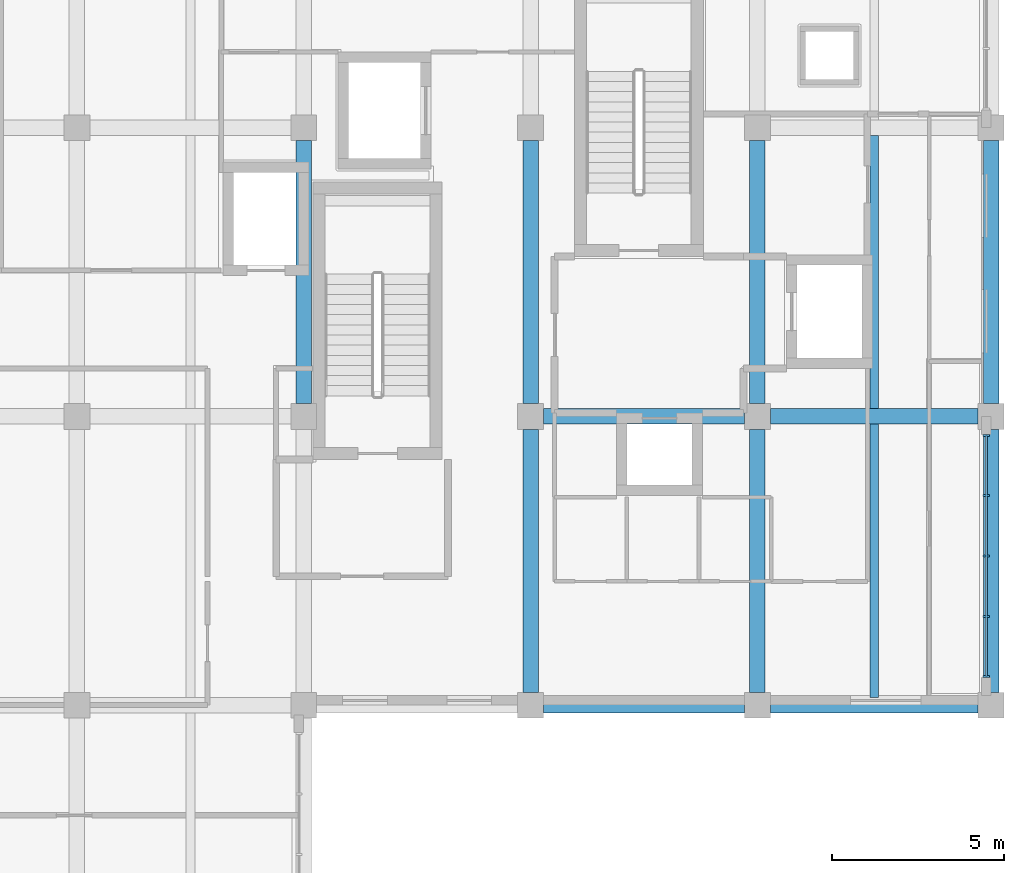
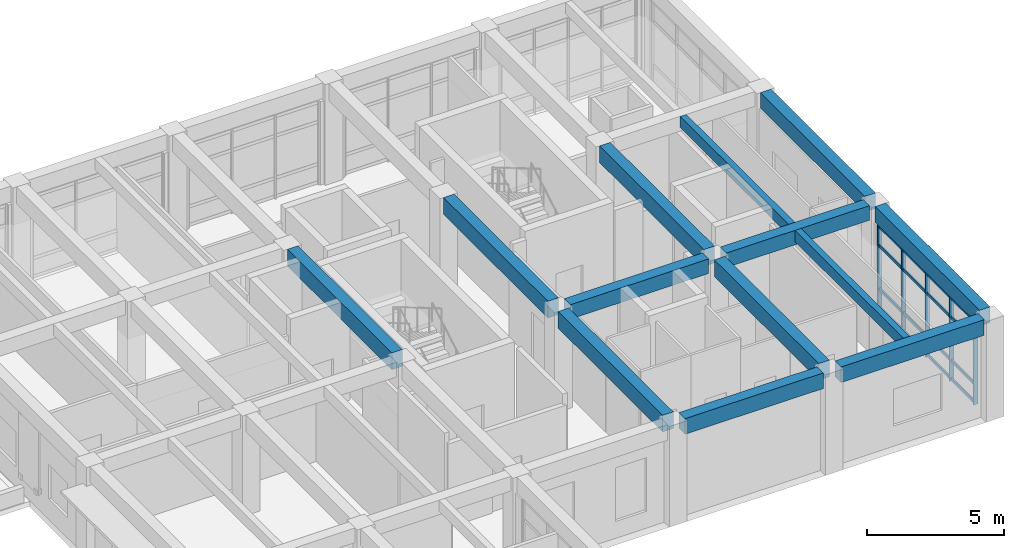
# One storey, part 16 of 50: 13 beams, 9 members, 1 element without a shape of its own.
"""IFC4 building model written with IfcOpenShell, lengths in metres."""

from ifc_helpers import new_model, si_unit, direction, frame, origin, origin_2d, place, context, subcontext, project, spatial, rectangle, extrude, material, layer, layer_set, material_profile, profile_set, type_object, element, aggregate, save


model = new_model("IFC4")

# Units and contexts
model_context = context("Model", 3, precision=1e-05, world=origin(), true_north=direction((0.0, 1.0)))
body_context = subcontext(model_context, "Body", "Model", "MODEL_VIEW")
ifc_project = project(units=[si_unit("LENGTHUNIT", "METRE"), si_unit("AREAUNIT", "SQUARE_METRE"), si_unit("VOLUMEUNIT", "CUBIC_METRE"), si_unit("PLANEANGLEUNIT", "RADIAN"), si_unit("MASSUNIT", "GRAM", prefix="KILO")], contexts=[model_context])

# Site, building, storey
site_placement = place(None, origin())
site = spatial("IfcSite", under=ifc_project, at=site_placement, CompositionType="ELEMENT")
building_placement = place(site_placement, origin())
building = spatial("IfcBuilding", under=site, at=building_placement, Name="Kolvaren Faculty of Natural Sciences", CompositionType="ELEMENT")
storey_placement = place(building_placement, frame((0.0, 0.0, 15.0)))
storey = spatial("IfcBuildingStorey", under=building, at=storey_placement, Name="L03", CompositionType="ELEMENT", Elevation=15.0)

# Curtain wall, members
ifc_material_1 = material(Name="Thermally broken anodised aluminium framing", Category="aluminium")
ifc_layer = layer(ifc_material_1, 0.179931640625)
ifc_layer_set = layer_set([ifc_layer], Name="Thermally broken anodised aluminium framing")
curtain_wall_type = type_object("IfcCurtainWallType", Name="TowerNorthCurtainWall_CW03", PredefinedType="NOTDEFINED", material=ifc_layer_set)
curtain_wall_placement = place(storey_placement, origin())
curtain_wall = element("IfcCurtainWall", 1, at=curtain_wall_placement, inside=storey, type_object=curtain_wall_type, Name="L03 unitised curtain wall CW-03 (CW-L03-148)", PredefinedType="NOTDEFINED")
ifc_material_profile_1 = material_profile(ifc_material_1, rectangle(XDim=0.06005859375, YDim=0.179931640625, at=origin_2d()), Name="ALU MUL 60x180")
ifc_profile_set_1 = profile_set([ifc_material_profile_1], Name="Thermally broken anodised aluminium framing")
member_type_1 = type_object("IfcMemberType", Name="CurtainMullion_60x180", PredefinedType="MULLION", material=ifc_profile_set_1)
member_1_placement = place(storey_placement, frame((171.860107421875, 66.85009765625, 0.0), z_axis=(0.0, 0.0, 1.0), x_axis=(0.0, -1.0, 0.0)))
member_1 = element("IfcMember", 2, at=member_1_placement, type_object=member_type_1, Name="CW-L03-148 vertical mullion 1", PredefinedType="MULLION", context=body_context, shape_type="SweptSolid", body=[
    extrude(rectangle(XDim=0.06005859375, YDim=0.179931640625, at=origin_2d()), origin(), (0.0, 0.0, 1.0), 3.784912109375),
])
member_2_placement = place(storey_placement, frame((171.860107421875, 65.094970703125, 0.0), z_axis=(0.0, 0.0, 1.0), x_axis=(0.0, -1.0, 0.0)))
member_2 = element("IfcMember", 3, at=member_2_placement, type_object=member_type_1, Name="CW-L03-148 vertical mullion 2", PredefinedType="MULLION", context=body_context, shape_type="SweptSolid", body=[
    extrude(rectangle(XDim=0.06005859375, YDim=0.179931640625, at=origin_2d()), origin(), (0.0, 0.0, 1.0), 3.784912109375),
])
member_3_placement = place(storey_placement, frame((171.860107421875, 63.340087890625, 0.0), z_axis=(0.0, 0.0, 1.0), x_axis=(0.0, -1.0, 0.0)))
member_3 = element("IfcMember", 4, at=member_3_placement, type_object=member_type_1, Name="CW-L03-148 vertical mullion 3", PredefinedType="MULLION", context=body_context, shape_type="SweptSolid", body=[
    extrude(rectangle(XDim=0.06005859375, YDim=0.179931640625, at=origin_2d()), origin(), (0.0, 0.0, 1.0), 3.784912109375),
])
member_4_placement = place(storey_placement, frame((171.860107421875, 61.5849609375, 0.0), z_axis=(0.0, 0.0, 1.0), x_axis=(0.0, -1.0, 0.0)))
member_4 = element("IfcMember", 5, at=member_4_placement, type_object=member_type_1, Name="CW-L03-148 vertical mullion 4", PredefinedType="MULLION", context=body_context, shape_type="SweptSolid", body=[
    extrude(rectangle(XDim=0.06005859375, YDim=0.179931640625, at=origin_2d()), origin(), (0.0, 0.0, 1.0), 3.784912109375),
])
member_5_placement = place(storey_placement, frame((171.860107421875, 59.830078125, 0.0), z_axis=(0.0, 0.0, 1.0), x_axis=(0.0, -1.0, 0.0)))
member_5 = element("IfcMember", 6, at=member_5_placement, type_object=member_type_1, Name="CW-L03-148 vertical mullion 5", PredefinedType="MULLION", context=body_context, shape_type="SweptSolid", body=[
    extrude(rectangle(XDim=0.06005859375, YDim=0.179931640625, at=origin_2d()), origin(), (0.0, 0.0, 1.0), 3.784912109375),
])
ifc_material_profile_2 = material_profile(ifc_material_1, rectangle(XDim=0.06005859375, YDim=0.139892578125, at=origin_2d()), Name="ALU TRN 60x140")
ifc_profile_set_2 = profile_set([ifc_material_profile_2], Name="Thermally broken anodised aluminium framing")
member_type_2 = type_object("IfcMemberType", Name="CurtainTransom_60x140", PredefinedType="USERDEFINED", material=ifc_profile_set_2)
member_6_placement = place(storey_placement, frame((171.860107421875, 66.85009765625, 0.080078125), z_axis=(0.0, -1.0, 0.0), x_axis=(1.0, 0.0, 0.0)))
member_6 = element("IfcMember", 7, at=member_6_placement, type_object=member_type_2, Name="CW-L03-148 horizontal transom 1", ObjectType="TRANSOM", PredefinedType="USERDEFINED", context=body_context, shape_type="SweptSolid", body=[
    extrude(rectangle(XDim=0.06005859375, YDim=0.139892578125, at=origin_2d()), origin(), (0.0, 0.0, 1.0), 7.02001953125),
])
member_7_placement = place(storey_placement, frame((171.860107421875, 66.85009765625, 0.89990234375), z_axis=(0.0, -1.0, 0.0), x_axis=(1.0, 0.0, 0.0)))
member_7 = element("IfcMember", 8, at=member_7_placement, type_object=member_type_2, Name="CW-L03-148 horizontal transom 2", ObjectType="TRANSOM", PredefinedType="USERDEFINED", context=body_context, shape_type="SweptSolid", body=[
    extrude(rectangle(XDim=0.06005859375, YDim=0.139892578125, at=origin_2d()), origin(), (0.0, 0.0, 1.0), 7.02001953125),
])
member_8_placement = place(storey_placement, frame((171.860107421875, 66.85009765625, 2.8349609375), z_axis=(0.0, -1.0, 0.0), x_axis=(1.0, 0.0, 0.0)))
member_8 = element("IfcMember", 9, at=member_8_placement, type_object=member_type_2, Name="CW-L03-148 horizontal transom 3", ObjectType="TRANSOM", PredefinedType="USERDEFINED", context=body_context, shape_type="SweptSolid", body=[
    extrude(rectangle(XDim=0.06005859375, YDim=0.139892578125, at=origin_2d()), origin(), (0.0, 0.0, 1.0), 7.02001953125),
])
member_9_placement = place(storey_placement, frame((171.860107421875, 66.85009765625, 3.705078125), z_axis=(0.0, -1.0, 0.0), x_axis=(1.0, 0.0, 0.0)))
member_9 = element("IfcMember", 10, at=member_9_placement, type_object=member_type_2, Name="CW-L03-148 horizontal transom 4", ObjectType="TRANSOM", PredefinedType="USERDEFINED", context=body_context, shape_type="SweptSolid", body=[
    extrude(rectangle(XDim=0.06005859375, YDim=0.139892578125, at=origin_2d()), origin(), (0.0, 0.0, 1.0), 7.02001953125),
])
aggregate(curtain_wall, [member_1, member_2, member_3, member_4, member_5, member_6, member_7, member_8, member_9])

# Beams
ifc_material_2 = material(Name="Concrete C35/45", Category="concrete")
ifc_material_profile_3 = material_profile(ifc_material_2, rectangle(XDim=0.449951171875, YDim=0.64990234375, at=origin_2d()), Name="RC BM 450x650")
ifc_profile_set_3 = profile_set([ifc_material_profile_3], Name="Concrete C35/45")
beam_type_1 = type_object("IfcBeamType", Name="GridBeam_450x650", PredefinedType="BEAM", material=ifc_profile_set_3)
beam_1_placement = place(storey_placement, frame((158.97509765625, 67.39990234375, 4.175048828125), z_axis=(1.0, 0.0, 0.0), x_axis=(0.0, 1.0, 0.0)))
element("IfcBeam", 11, at=beam_1_placement, inside=storey, type_object=beam_type_1, Name="L03 beam BM-65 on grid J", PredefinedType="BEAM", context=body_context, shape_type="SweptSolid", body=[
    extrude(rectangle(XDim=0.449951171875, YDim=0.64990234375, at=origin_2d()), origin(), (0.0, 0.0, 1.0), 5.849853515625),
])
beam_2_placement = place(storey_placement, frame((165.574951171875, 67.39990234375, 4.175048828125), z_axis=(1.0, 0.0, 0.0), x_axis=(0.0, 1.0, 0.0)))
element("IfcBeam", 12, at=beam_2_placement, inside=storey, type_object=beam_type_1, Name="L03 beam BM-65 on grid J", PredefinedType="BEAM", context=body_context, shape_type="SweptSolid", body=[
    extrude(rectangle(XDim=0.449951171875, YDim=0.64990234375, at=origin_2d()), origin(), (0.0, 0.0, 1.0), 6.050048828125),
])
ifc_material_profile_4 = material_profile(ifc_material_2, rectangle(XDim=0.260009765625, YDim=0.5, at=origin_2d()), Name="RC JST 260x500")
ifc_profile_set_4 = profile_set([ifc_material_profile_4], Name="Concrete C35/45")
beam_type_2 = type_object("IfcBeamType", Name="LabRibJoist_260x500", PredefinedType="JOIST", material=ifc_profile_set_4)
for number, where, z_axis, x_axis, name in (
    (13, (168.60009765625, 59.22509765625, 4.25), (0.0, 1.0, 0.0), (-1.0, 0.0, 0.0), "L03 ribbed laboratory slab joist JS-50"),
    (14, (168.60009765625, 67.625, 4.25), (0.0, 1.0, 0.0), (-1.0, 0.0, 0.0), "L03 ribbed laboratory slab joist JS-50"),
):
    element("IfcBeam", number, at=place(storey_placement, frame(where, z_axis=z_axis, x_axis=x_axis)), inside=storey, type_object=beam_type_2, Name=name, PredefinedType="JOIST", context=body_context, shape_type="SweptSolid", body=[
        extrude(rectangle(XDim=0.260009765625, YDim=0.5, at=origin_2d()), origin(), (0.0, 0.0, 1.0), 7.949951171875),
    ])
ifc_material_profile_5 = material_profile(ifc_material_2, rectangle(XDim=0.449951171875, YDim=0.699951171875, at=origin_2d()), Name="RC SP 450x700")
ifc_profile_set_5 = profile_set([ifc_material_profile_5], Name="Concrete C35/45")
beam_type_3 = type_object("IfcBeamType", Name="PerimeterSpandrel_450x700", PredefinedType="SPANDREL", material=ifc_profile_set_5)
beam_3_placement = place(storey_placement, frame((158.97509765625, 59.0, 4.14990234375), z_axis=(1.0, 0.0, 0.0), x_axis=(0.0, 1.0, 0.0)))
element("IfcBeam", 15, at=beam_3_placement, inside=storey, type_object=beam_type_3, Name="L03 spandrel SP-70 on grid H", PredefinedType="SPANDREL", context=body_context, shape_type="SweptSolid", body=[
    extrude(rectangle(XDim=0.449951171875, YDim=0.699951171875, at=origin_2d()), origin(), (0.0, 0.0, 1.0), 5.849853515625),
])
beam_4_placement = place(storey_placement, frame((165.574951171875, 59.0, 4.14990234375), z_axis=(1.0, 0.0, 0.0), x_axis=(0.0, 1.0, 0.0)))
element("IfcBeam", 16, at=beam_4_placement, inside=storey, type_object=beam_type_3, Name="L03 spandrel SP-70 on grid H", PredefinedType="SPANDREL", context=body_context, shape_type="SweptSolid", body=[
    extrude(rectangle(XDim=0.449951171875, YDim=0.699951171875, at=origin_2d()), origin(), (0.0, 0.0, 1.0), 6.050048828125),
])
beam_5_placement = place(storey_placement, frame((172.0, 59.375, 4.14990234375), z_axis=(0.0, 1.0, 0.0), x_axis=(-1.0, 0.0, 0.0)))
element("IfcBeam", 17, at=beam_5_placement, inside=storey, type_object=beam_type_3, Name="L03 girder SP-70 on grid 27", PredefinedType="SPANDREL", context=body_context, shape_type="SweptSolid", body=[
    extrude(rectangle(XDim=0.449951171875, YDim=0.699951171875, at=origin_2d()), origin(), (0.0, 0.0, 1.0), 7.64990234375),
])
beam_6_placement = place(storey_placement, frame((172.0, 67.77490234375, 4.14990234375), z_axis=(0.0, 1.0, 0.0), x_axis=(-1.0, 0.0, 0.0)))
element("IfcBeam", 18, at=beam_6_placement, inside=storey, type_object=beam_type_3, Name="L03 girder SP-70 on grid 27", PredefinedType="SPANDREL", context=body_context, shape_type="SweptSolid", body=[
    extrude(rectangle(XDim=0.449951171875, YDim=0.699951171875, at=origin_2d()), origin(), (0.0, 0.0, 1.0), 7.650146484375),
])
ifc_material_profile_6 = material_profile(ifc_material_2, rectangle(XDim=0.449951171875, YDim=0.75, at=origin_2d()), Name="RC BM 450x750")
ifc_profile_set_6 = profile_set([ifc_material_profile_6], Name="Concrete C35/45")
beam_type_4 = type_object("IfcBeamType", Name="PrimaryGirder_450x750", PredefinedType="BEAM", material=ifc_profile_set_6)
beam_7_placement = place(storey_placement, frame((152.0, 67.77490234375, 4.125), z_axis=(0.0, 1.0, 0.0), x_axis=(-1.0, 0.0, 0.0)))
element("IfcBeam", 19, at=beam_7_placement, inside=storey, type_object=beam_type_4, Name="L03 girder BG-75 on grid 24", PredefinedType="BEAM", context=body_context, shape_type="SweptSolid", body=[
    extrude(rectangle(XDim=0.449951171875, YDim=0.75, at=origin_2d()), origin(), (0.0, 0.0, 1.0), 7.650146484375),
])
beam_8_placement = place(storey_placement, frame((158.60009765625, 59.375, 4.125), z_axis=(0.0, 1.0, 0.0), x_axis=(-1.0, 0.0, 0.0)))
element("IfcBeam", 20, at=beam_8_placement, inside=storey, type_object=beam_type_4, Name="L03 girder BG-75 on grid 25", PredefinedType="BEAM", context=body_context, shape_type="SweptSolid", body=[
    extrude(rectangle(XDim=0.449951171875, YDim=0.75, at=origin_2d()), origin(), (0.0, 0.0, 1.0), 7.64990234375),
])
beam_9_placement = place(storey_placement, frame((158.60009765625, 67.77490234375, 4.125), z_axis=(0.0, 1.0, 0.0), x_axis=(-1.0, 0.0, 0.0)))
element("IfcBeam", 21, at=beam_9_placement, inside=storey, type_object=beam_type_4, Name="L03 girder BG-75 on grid 25", PredefinedType="BEAM", context=body_context, shape_type="SweptSolid", body=[
    extrude(rectangle(XDim=0.449951171875, YDim=0.75, at=origin_2d()), origin(), (0.0, 0.0, 1.0), 7.650146484375),
])
beam_10_placement = place(storey_placement, frame((165.199951171875, 59.375, 4.125), z_axis=(0.0, 1.0, 0.0), x_axis=(-1.0, 0.0, 0.0)))
element("IfcBeam", 22, at=beam_10_placement, inside=storey, type_object=beam_type_4, Name="L03 girder BG-75 on grid 26", PredefinedType="BEAM", context=body_context, shape_type="SweptSolid", body=[
    extrude(rectangle(XDim=0.449951171875, YDim=0.75, at=origin_2d()), origin(), (0.0, 0.0, 1.0), 7.64990234375),
])
beam_11_placement = place(storey_placement, frame((165.199951171875, 67.77490234375, 4.125), z_axis=(0.0, 1.0, 0.0), x_axis=(-1.0, 0.0, 0.0)))
element("IfcBeam", 23, at=beam_11_placement, inside=storey, type_object=beam_type_4, Name="L03 girder BG-75 on grid 26", PredefinedType="BEAM", context=body_context, shape_type="SweptSolid", body=[
    extrude(rectangle(XDim=0.449951171875, YDim=0.75, at=origin_2d()), origin(), (0.0, 0.0, 1.0), 7.650146484375),
])

save(model, "model.ifc")
